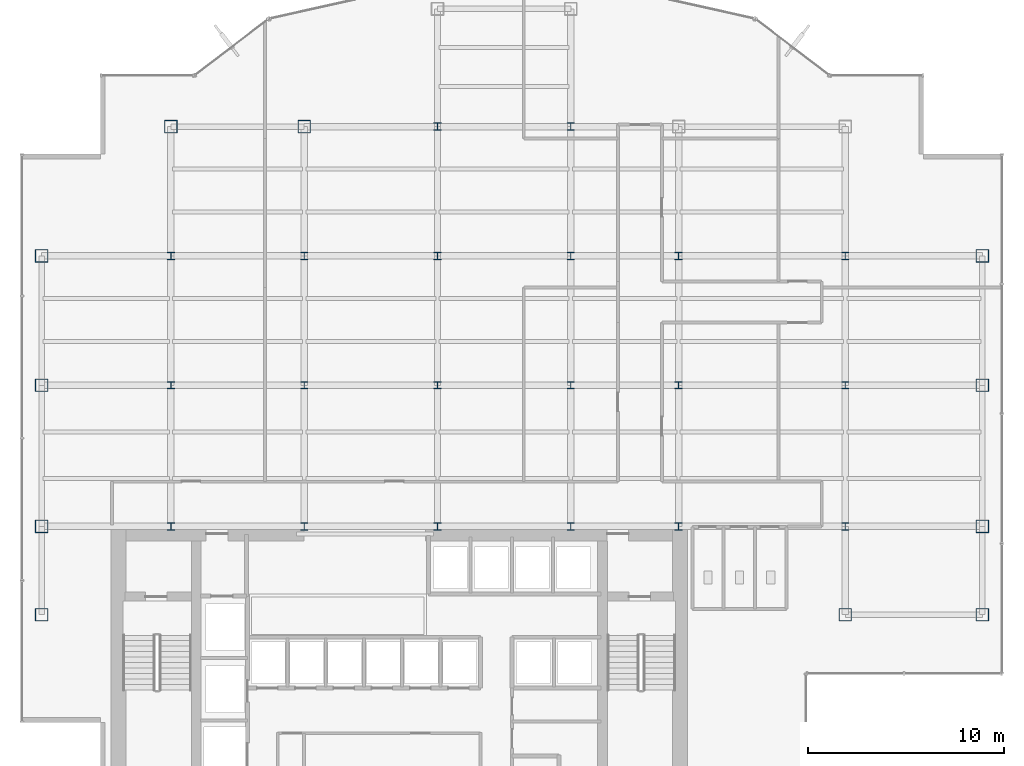
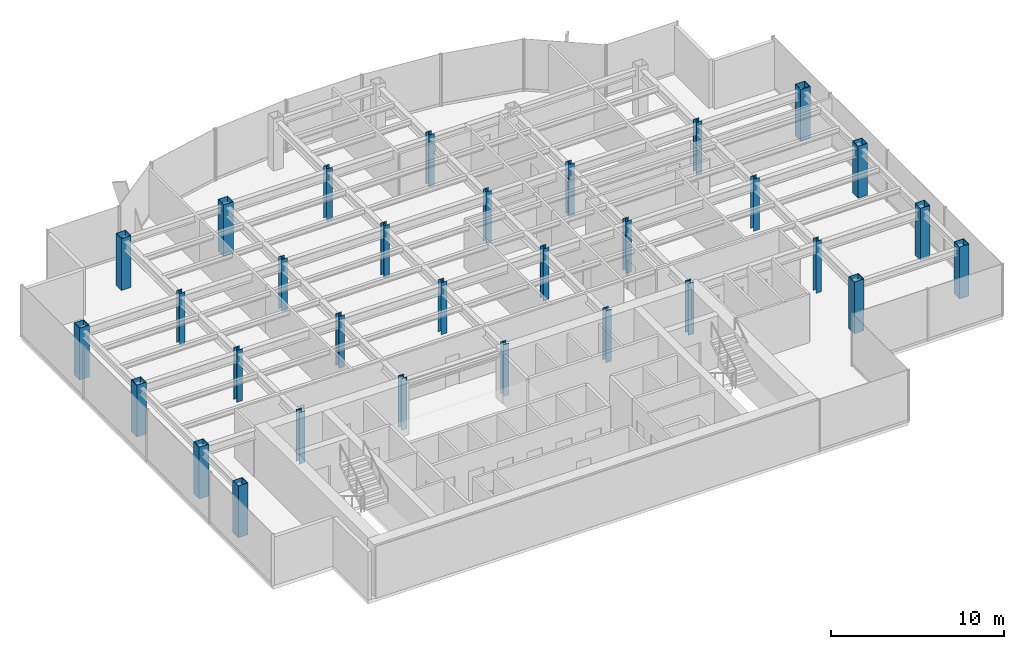
# One storey, part 1 of 25: 31 columns.
"""IFC4 building model written with IfcOpenShell, lengths in metres."""

from ifc_helpers import new_model, si_unit, derived_unit, direction, frame, origin, origin_2d, place, context, subcontext, project, spatial, hollow_rectangle, i_section, extrude, source, transform, mapped, material, material_profile, profile_set, type_object, element, save


model = new_model("IFC4")

# Units and contexts
model_context = context("Model", 3, precision=1e-05, world=origin(), true_north=direction((0.0, 1.0)))
body_context = subcontext(model_context, "Body", "Model", "MODEL_VIEW")
ifc_project = project(units=[si_unit("LENGTHUNIT", "METRE"), si_unit("AREAUNIT", "SQUARE_METRE"), si_unit("VOLUMEUNIT", "CUBIC_METRE"), si_unit("PLANEANGLEUNIT", "RADIAN"), si_unit("MASSUNIT", "GRAM", prefix="KILO"), derived_unit("THERMALTRANSMITTANCEUNIT", [(si_unit("POWERUNIT", "WATT"), 1), (si_unit("LENGTHUNIT", "METRE"), -2), (si_unit("THERMODYNAMICTEMPERATUREUNIT", "KELVIN"), -1)])], contexts=[model_context])

# Site, building, storey
site_placement = place(None, origin())
site = spatial("IfcSite", under=ifc_project, at=site_placement, CompositionType="ELEMENT")
building_placement = place(site_placement, origin())
building = spatial("IfcBuilding", under=site, at=building_placement, Name="Skarnbrae Concourse Arena and Tower", CompositionType="ELEMENT")
storey_placement = place(building_placement, frame((0.0, 0.0, 166.14990234375)))
storey = spatial("IfcBuildingStorey", under=building, at=storey_placement, Name="L42", CompositionType="ELEMENT", Elevation=166.14990234375)

# Columns
ifc_material = material(Name="Steel CSA G40.21 350W", Category="steel")
ifc_material_profile_1 = material_profile(ifc_material, hollow_rectangle(XDim=0.64990234375, YDim=0.64990234375, WallThickness=0.031982421875, at=origin_2d()), Name="BOX650X650X32")
ifc_profile_set_1 = profile_set([ifc_material_profile_1], Name="Steel CSA G40.21 350W")
column_type_1 = type_object("IfcColumnType", Name="COL-TUBE-BOX650", PredefinedType="COLUMN", material=ifc_profile_set_1)
shared_shape_1 = source(origin(), body_context, "Body", "SweptSolid", [
    extrude(hollow_rectangle(XDim=0.64990234375, YDim=0.64990234375, WallThickness=0.031982421875, at=origin_2d()), origin(), (0.0, 0.0, 1.0), 3.650146484375),
])
for number, where, z_axis, x_axis, name in (
    (1, (1.0, 9.5, 0.0), (0.0, 0.0, 1.0), (1.0, 0.0, 0.0), "L42 Tower column PC_01_01"),
    (2, (1.0, 14.0, 0.0), (0.0, 0.0, 1.0), (1.0, 0.0, 0.0), "L42 Tower column PC_01_02"),
    (3, (1.0, 21.199951171875, 0.0), (0.0, 0.0, 1.0), (1.0, 0.0, 0.0), "L42 Tower column PC_01_03"),
    (4, (1.0, 27.800048828125, 0.0), (0.0, 0.0, 1.0), (1.0, 0.0, 0.0), "L42 Tower column PC_01_04"),
    (5, (7.60009765625, 34.39990234375, 0.0), (0.0, 0.0, 1.0), (1.0, 0.0, 0.0), "L42 Tower column PC_02_05"),
    (6, (14.39990234375, 34.39990234375, 0.0), (0.0, 0.0, 1.0), (1.0, 0.0, 0.0), "L42 Tower column PC_03_05"),
    (7, (42.0, 9.5, 0.0), (0.0, 0.0, 1.0), (1.0, 0.0, 0.0), "L42 Tower column PC_07_01"),
    (8, (49.0, 9.5, 0.0), (0.0, 0.0, 1.0), (1.0, 0.0, 0.0), "L42 Tower column PC_08_01"),
    (9, (49.0, 14.0, 0.0), (0.0, 0.0, 1.0), (1.0, 0.0, 0.0), "L42 Tower column PC_08_02"),
    (10, (49.0, 21.199951171875, 0.0), (0.0, 0.0, 1.0), (1.0, 0.0, 0.0), "L42 Tower column PC_08_03"),
    (11, (49.0, 27.800048828125, 0.0), (0.0, 0.0, 1.0), (1.0, 0.0, 0.0), "L42 Tower column PC_08_04"),
):
    element("IfcColumn", number, at=place(storey_placement, frame(where, z_axis=z_axis, x_axis=x_axis)), inside=storey, type_object=column_type_1, Name=name, PredefinedType="COLUMN", context=body_context, shape_type="MappedRepresentation", body=[
        mapped(shared_shape_1, transform((0.0, 0.0, 0.0))),
    ])
ifc_material_profile_2 = material_profile(ifc_material, i_section(OverallWidth=0.3740234375, OverallDepth=0.3720703125, WebThickness=0.016357421875, FlangeThickness=0.026123046875, at=origin_2d()), Name="W360X196")
ifc_profile_set_2 = profile_set([ifc_material_profile_2], Name="Steel CSA G40.21 350W")
column_type_2 = type_object("IfcColumnType", Name="COL-INT-W360X196", PredefinedType="COLUMN", material=ifc_profile_set_2)
shared_shape_2 = source(origin(), body_context, "Body", "SweptSolid", [
    extrude(i_section(OverallWidth=0.3740234375, OverallDepth=0.3720703125, WebThickness=0.016357421875, FlangeThickness=0.026123046875, at=origin_2d()), origin(), (0.0, 0.0, 1.0), 3.650146484375),
])
for number, where, z_axis, x_axis, name in (
    (12, (7.60009765625, 14.0, 0.0), (0.0, 0.0, 1.0), (1.0, 0.0, 0.0), "L42 Tower column IC_02_02"),
    (13, (7.60009765625, 21.199951171875, 0.0), (0.0, 0.0, 1.0), (1.0, 0.0, 0.0), "L42 Tower column IC_02_03"),
    (14, (7.60009765625, 27.800048828125, 0.0), (0.0, 0.0, 1.0), (1.0, 0.0, 0.0), "L42 Tower column IC_02_04"),
    (15, (14.39990234375, 14.0, 0.0), (0.0, 0.0, 1.0), (1.0, 0.0, 0.0), "L42 Tower column IC_03_02"),
    (16, (14.39990234375, 21.199951171875, 0.0), (0.0, 0.0, 1.0), (1.0, 0.0, 0.0), "L42 Tower column IC_03_03"),
    (17, (14.39990234375, 27.800048828125, 0.0), (0.0, 0.0, 1.0), (1.0, 0.0, 0.0), "L42 Tower column IC_03_04"),
    (18, (21.199951171875, 14.0, 0.0), (0.0, 0.0, 1.0), (1.0, 0.0, 0.0), "L42 Tower column IC_04_02"),
    (19, (21.199951171875, 21.199951171875, 0.0), (0.0, 0.0, 1.0), (1.0, 0.0, 0.0), "L42 Tower column IC_04_03"),
    (20, (21.199951171875, 27.800048828125, 0.0), (0.0, 0.0, 1.0), (1.0, 0.0, 0.0), "L42 Tower column IC_04_04"),
    (21, (21.199951171875, 34.39990234375, 0.0), (0.0, 0.0, 1.0), (1.0, 0.0, 0.0), "L42 Tower column IC_04_05"),
    (22, (28.0, 14.0, 0.0), (0.0, 0.0, 1.0), (1.0, 0.0, 0.0), "L42 Tower column IC_05_02"),
    (23, (28.0, 21.199951171875, 0.0), (0.0, 0.0, 1.0), (1.0, 0.0, 0.0), "L42 Tower column IC_05_03"),
    (24, (28.0, 27.800048828125, 0.0), (0.0, 0.0, 1.0), (1.0, 0.0, 0.0), "L42 Tower column IC_05_04"),
    (25, (28.0, 34.39990234375, 0.0), (0.0, 0.0, 1.0), (1.0, 0.0, 0.0), "L42 Tower column IC_05_05"),
    (26, (33.5, 14.0, 0.0), (0.0, 0.0, 1.0), (1.0, 0.0, 0.0), "L42 Tower column IC_06_02"),
    (27, (33.5, 21.199951171875, 0.0), (0.0, 0.0, 1.0), (1.0, 0.0, 0.0), "L42 Tower column IC_06_03"),
    (28, (33.5, 27.800048828125, 0.0), (0.0, 0.0, 1.0), (1.0, 0.0, 0.0), "L42 Tower column IC_06_04"),
    (29, (42.0, 14.0, 0.0), (0.0, 0.0, 1.0), (1.0, 0.0, 0.0), "L42 Tower column IC_07_02"),
    (30, (42.0, 21.199951171875, 0.0), (0.0, 0.0, 1.0), (1.0, 0.0, 0.0), "L42 Tower column IC_07_03"),
    (31, (42.0, 27.800048828125, 0.0), (0.0, 0.0, 1.0), (1.0, 0.0, 0.0), "L42 Tower column IC_07_04"),
):
    element("IfcColumn", number, at=place(storey_placement, frame(where, z_axis=z_axis, x_axis=x_axis)), inside=storey, type_object=column_type_2, Name=name, PredefinedType="COLUMN", context=body_context, shape_type="MappedRepresentation", body=[
        mapped(shared_shape_2, transform((0.0, 0.0, 0.0))),
    ])

save(model, "model.ifc")
